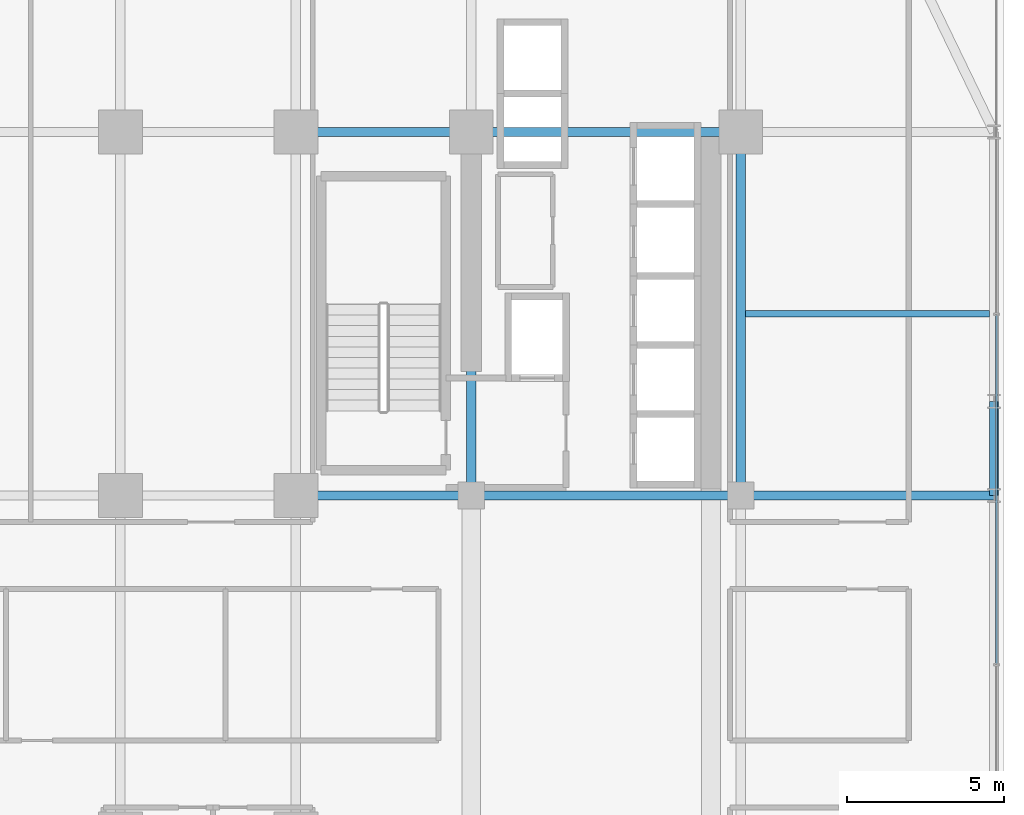
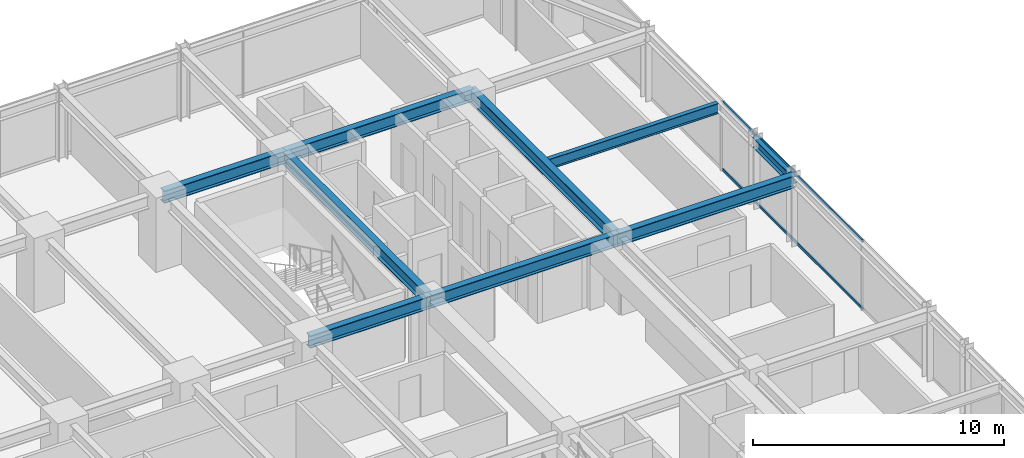
# One storey, part 25 of 37: 9 beams, 2 members, 1 element without a shape of its own.
"""IFC4 building model written with IfcOpenShell, lengths in metres."""

from ifc_helpers import new_model, si_unit, direction, frame, origin, origin_2d, place, context, subcontext, project, spatial, hollow_rectangle, i_section, extrude, source, transform, mapped, material, material_profile, profile_set, type_object, element, aggregate, save


model = new_model("IFC4")

# Units and contexts
model_context = context("Model", 3, precision=1e-05, world=origin(), true_north=direction((0.0, 1.0)))
body_context = subcontext(model_context, "Body", "Model", "MODEL_VIEW")
ifc_project = project(units=[si_unit("LENGTHUNIT", "METRE"), si_unit("AREAUNIT", "SQUARE_METRE"), si_unit("VOLUMEUNIT", "CUBIC_METRE"), si_unit("PLANEANGLEUNIT", "RADIAN"), si_unit("MASSUNIT", "GRAM", prefix="KILO")], contexts=[model_context])

# Site, building, storey
site_placement = place(None, origin())
site = spatial("IfcSite", under=ifc_project, at=site_placement, CompositionType="ELEMENT")
building_placement = place(site_placement, origin())
building = spatial("IfcBuilding", under=site, at=building_placement, Name="Nahalor Promenade Grand Hotel", CompositionType="ELEMENT")
storey_placement = place(building_placement, frame((0.0, 0.0, 36.050048828125)))
storey = spatial("IfcBuildingStorey", under=building, at=storey_placement, Name="L07", CompositionType="ELEMENT", Elevation=36.050048828125)

# Beams
ifc_material_1 = material(Name="Steel S355JR", Category="steel")
ifc_material_profile_1 = material_profile(ifc_material_1, i_section(OverallWidth=0.3, OverallDepth=0.6, WebThickness=0.0155, FlangeThickness=0.03, at=origin_2d()), Name="HEB 600")
ifc_profile_set_1 = profile_set([ifc_material_profile_1], Name="Steel S355JR")
beam_type_1 = type_object("IfcBeamType", Name="Beam-Girder-HEB600", PredefinedType="BEAM", material=ifc_profile_set_1)
shared_shape_1 = source(origin(), body_context, "Body", "SweptSolid", [
    extrude(i_section(OverallWidth=0.3, OverallDepth=0.6, WebThickness=0.0155, FlangeThickness=0.03, at=origin_2d()), origin(), (0.0, 0.0, 1.0), 8.60009765625),
])
for number, where, z_axis, x_axis, name in (
    (1, (8.39990234375, 5.39990234375, 3.070068359375), (1.0, 0.0, 0.0), (0.0, 1.0, 0.0), "BM-L07-GX-2-5"),
    (2, (8.39990234375, 17.0, 3.070068359375), (1.0, 0.0, 0.0), (0.0, 1.0, 0.0), "BM-L07-GX-3-5"),
):
    element("IfcBeam", number, at=place(storey_placement, frame(where, z_axis=z_axis, x_axis=x_axis)), inside=storey, type_object=beam_type_1, Name=name, PredefinedType="BEAM", context=body_context, shape_type="MappedRepresentation", body=[
        mapped(shared_shape_1, transform((0.0, 0.0, 0.0), scale=1.0)),
    ])
shared_shape_2 = source(origin(), body_context, "Body", "SweptSolid", [
    extrude(i_section(OverallWidth=0.3, OverallDepth=0.6, WebThickness=0.0155, FlangeThickness=0.03, at=origin_2d()), origin(), (0.0, 0.0, 1.0), 5.599853515625),
])
for number, where, z_axis, x_axis, name in (
    (3, (2.800048828125, 5.39990234375, 3.070068359375), (1.0, 0.0, 0.0), (0.0, 1.0, 0.0), "BM-L07-GX-2-4"),
    (4, (2.800048828125, 17.0, 3.070068359375), (1.0, 0.0, 0.0), (0.0, 1.0, 0.0), "BM-L07-GX-3-4"),
):
    element("IfcBeam", number, at=place(storey_placement, frame(where, z_axis=z_axis, x_axis=x_axis)), inside=storey, type_object=beam_type_1, Name=name, PredefinedType="BEAM", context=body_context, shape_type="MappedRepresentation", body=[
        mapped(shared_shape_2, transform((0.0, 0.0, 0.0), scale=1.0)),
    ])
shared_shape_3 = source(origin(), body_context, "Body", "SweptSolid", [
    extrude(i_section(OverallWidth=0.3, OverallDepth=0.6, WebThickness=0.0155, FlangeThickness=0.03, at=origin_2d()), origin(), (0.0, 0.0, 1.0), 11.60009765625),
])
for number, where, z_axis, x_axis, name in (
    (5, (8.39990234375, 5.39990234375, 3.070068359375), (0.0, 1.0, 0.0), (-1.0, 0.0, 0.0), "BM-L07-GY-4-3"),
    (6, (17.0, 5.39990234375, 3.070068359375), (0.0, 1.0, 0.0), (-1.0, 0.0, 0.0), "BM-L07-GY-5-3"),
):
    element("IfcBeam", number, at=place(storey_placement, frame(where, z_axis=z_axis, x_axis=x_axis)), inside=storey, type_object=beam_type_1, Name=name, PredefinedType="BEAM", context=body_context, shape_type="MappedRepresentation", body=[
        mapped(shared_shape_3, transform((0.0, 0.0, 0.0), scale=1.0)),
    ])
ifc_material_profile_2 = material_profile(ifc_material_1, i_section(OverallWidth=0.3, OverallDepth=0.5, WebThickness=0.0145, FlangeThickness=0.028, at=origin_2d()), Name="HEB 500")
ifc_profile_set_2 = profile_set([ifc_material_profile_2], Name="Steel S355JR")
beam_type_2 = type_object("IfcBeamType", Name="Beam-Spandrel-HEB500", PredefinedType="SPANDREL", material=ifc_profile_set_2)
shared_shape_4 = source(origin(), body_context, "Body", "SweptSolid", [
    extrude(i_section(OverallWidth=0.3, OverallDepth=0.5, WebThickness=0.0145, FlangeThickness=0.028, at=origin_2d()), origin(), (0.0, 0.0, 1.0), 3.0),
])
beam_1_placement = place(storey_placement, frame((25.080078125, 5.39990234375, 3.119873046875), z_axis=(0.0, 1.0, 0.0), x_axis=(-1.0, 0.0, 0.0)))
element("IfcBeam", 7, at=beam_1_placement, inside=storey, type_object=beam_type_2, Name="BM-L07-SP-E-3", PredefinedType="SPANDREL", context=body_context, shape_type="MappedRepresentation", body=[
    mapped(shared_shape_4, transform((0.0, 0.0, 0.0), scale=1.0)),
])
shared_shape_5 = source(origin(), body_context, "Body", "SweptSolid", [
    extrude(i_section(OverallWidth=0.3, OverallDepth=0.6, WebThickness=0.0155, FlangeThickness=0.03, at=origin_2d()), origin(), (0.0, 0.0, 1.0), 8.080078125),
])
beam_2_placement = place(storey_placement, frame((17.0, 5.39990234375, 3.070068359375), z_axis=(1.0, 0.0, 0.0), x_axis=(0.0, 1.0, 0.0)))
element("IfcBeam", 8, at=beam_2_placement, inside=storey, type_object=beam_type_1, Name="BM-L07-GX-2-6", PredefinedType="BEAM", context=body_context, shape_type="MappedRepresentation", body=[
    mapped(shared_shape_5, transform((0.0, 0.0, 0.0), scale=1.0)),
])
ifc_material_profile_3 = material_profile(ifc_material_1, i_section(OverallWidth=0.2, OverallDepth=0.5, WebThickness=0.0102, FlangeThickness=0.016, at=origin_2d()), Name="IPE 500")
ifc_profile_set_3 = profile_set([ifc_material_profile_3], Name="Steel S355JR")
beam_type_3 = type_object("IfcBeamType", Name="Beam-Joist-IPE500", PredefinedType="JOIST", material=ifc_profile_set_3)
shared_shape_6 = source(origin(), body_context, "Body", "SweptSolid", [
    extrude(i_section(OverallWidth=0.2, OverallDepth=0.5, WebThickness=0.0102, FlangeThickness=0.016, at=origin_2d()), origin(), (0.0, 0.0, 1.0), 7.780029296875),
])
beam_3_placement = place(storey_placement, frame((17.14990234375, 11.199951171875, 3.119873046875), z_axis=(1.0, 0.0, 0.0), x_axis=(0.0, 1.0, 0.0)))
element("IfcBeam", 9, at=beam_3_placement, inside=storey, type_object=beam_type_3, Name="BM-L07-JSE-1-2", PredefinedType="JOIST", context=body_context, shape_type="MappedRepresentation", body=[
    mapped(shared_shape_6, transform((0.0, 0.0, 0.0), scale=1.0)),
])

# Curtain wall, members
ifc_material_2 = material(Name="Anodised Bronze Aluminium EN AW-6063 T6", Category="aluminium")
curtain_wall_type = type_object("IfcCurtainWallType", Name="CW2 Typical Hotel Flush Bronze Unitised Curtain Wall", PredefinedType="USERDEFINED", material=ifc_material_2)
curtain_wall_placement = place(storey_placement, origin())
curtain_wall = element("IfcCurtainWall", 10, at=curtain_wall_placement, inside=storey, type_object=curtain_wall_type, Name="L07 Curtain Wall CW-L07-E-1", ObjectType="UNITISED_CURTAIN_WALL", PredefinedType="USERDEFINED")
ifc_material_profile_4 = material_profile(ifc_material_2, hollow_rectangle(XDim=0.065, YDim=0.13, WallThickness=0.004, at=origin_2d()), Name="CWT 65x130x4")
ifc_profile_set_4 = profile_set([ifc_material_profile_4], Name="Anodised Bronze Aluminium EN AW-6063 T6")
member_type = type_object("IfcMemberType", Name="CWT2 Typical Bronze Transom 65x130", PredefinedType="USERDEFINED", material=ifc_profile_set_4)
shared_shape_7 = source(origin(), body_context, "Body", "SweptSolid", [
    extrude(hollow_rectangle(XDim=0.065, YDim=0.13, WallThickness=0.004, at=origin_2d()), origin(), (0.0, 0.0, 1.0), 11.114990234375),
])
member_1_placement = place(storey_placement, frame((25.159912109375, 0.032470703125, 0.06494140625), z_axis=(0.0, 1.0, 0.0), x_axis=(-1.0, 0.0, 0.0)))
member_1 = element("IfcMember", 11, at=member_1_placement, type_object=member_type, Name="CW-L07-E-1 Transom 2-0", ObjectType="TRANSOM", PredefinedType="USERDEFINED", context=body_context, shape_type="MappedRepresentation", body=[
    mapped(shared_shape_7, transform((0.0, 0.0, 0.0), scale=1.0)),
])
member_2_placement = place(storey_placement, frame((25.159912109375, 0.032470703125, 3.304931640625), z_axis=(0.0, 1.0, 0.0), x_axis=(-1.0, 0.0, 0.0)))
member_2 = element("IfcMember", 12, at=member_2_placement, type_object=member_type, Name="CW-L07-E-1 Transom 2-1", ObjectType="TRANSOM", PredefinedType="USERDEFINED", context=body_context, shape_type="MappedRepresentation", body=[
    mapped(shared_shape_7, transform((0.0, 0.0, 0.0), scale=1.0)),
])
aggregate(curtain_wall, [member_1, member_2])

save(model, "model.ifc")
